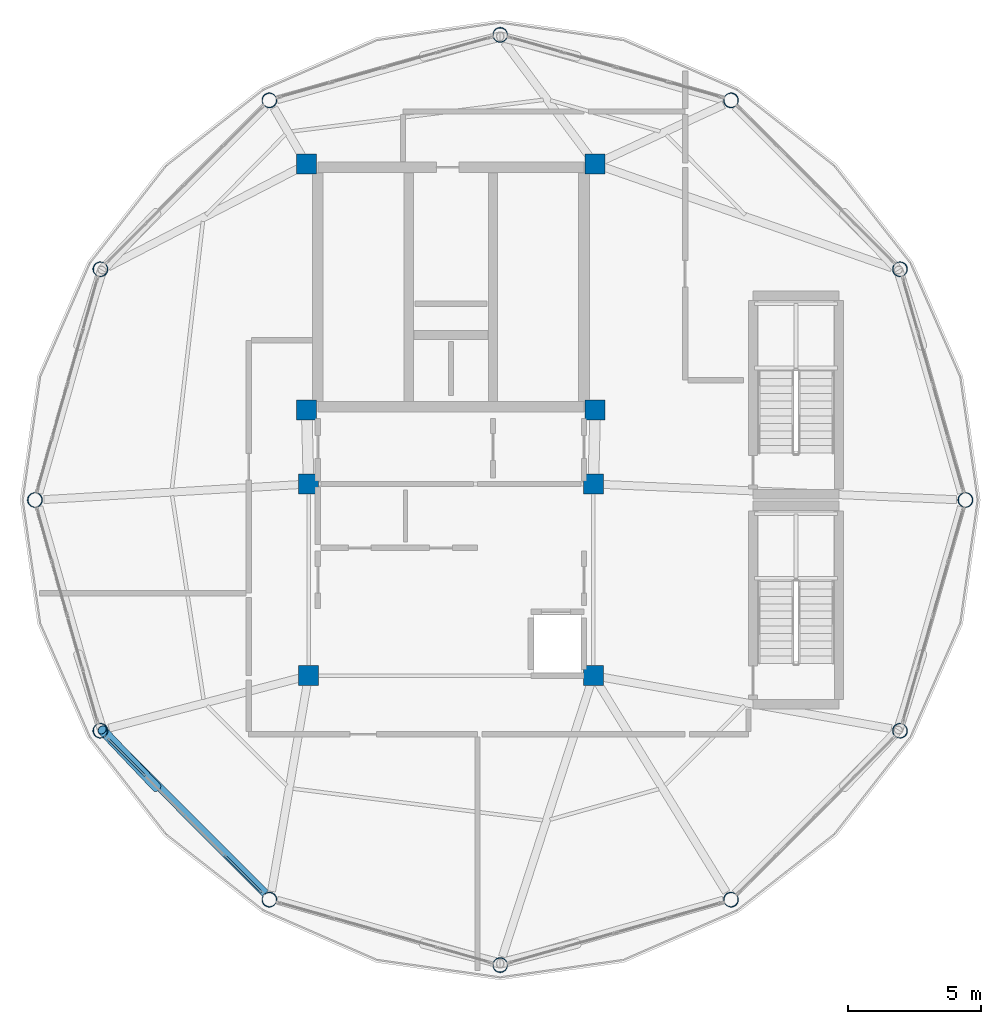
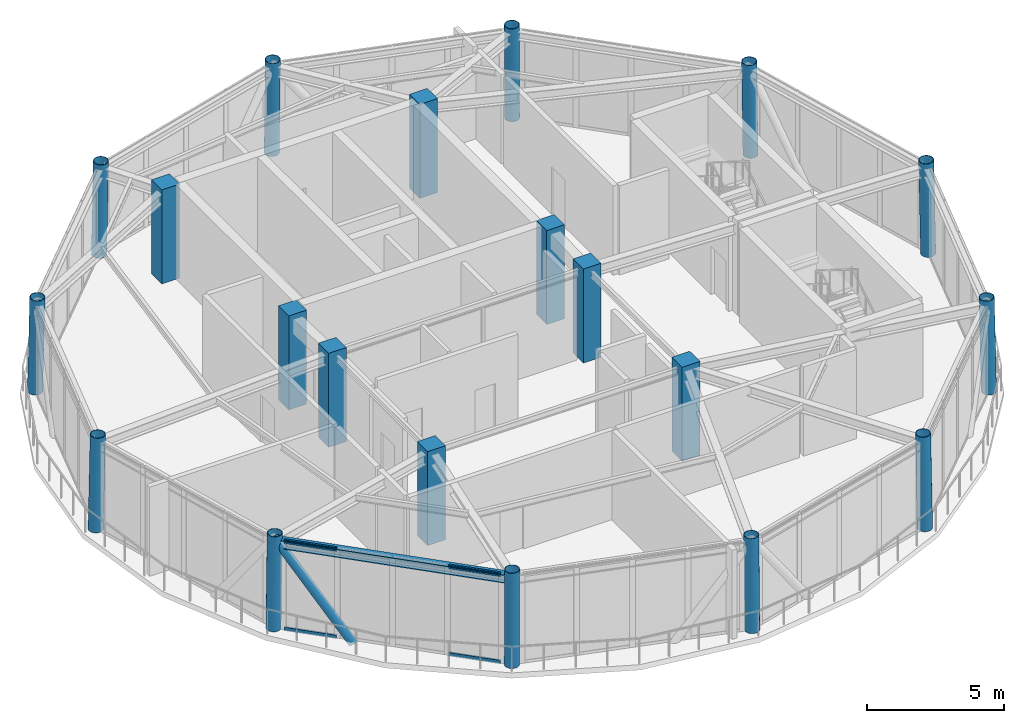
# One storey, part 1 of 20: 20 columns, 5 members, 1 beam, 1 element without a shape of its own.
"""IFC4 building model written with IfcOpenShell, lengths in metres."""

from ifc_helpers import new_model, si_unit, direction, frame, origin, origin_2d, place, context, subcontext, project, spatial, rectangle, hollow_rectangle, hollow_circle, i_section, extrude, material, layer, layer_set, material_profile, profile_set, type_object, element, aggregate, save


model = new_model("IFC4")

# Units and contexts
model_context = context("Model", 3, precision=1e-05, world=origin(), true_north=direction((0.0, 1.0)))
body_context = subcontext(model_context, "Body", "Model", "MODEL_VIEW")
ifc_project = project(units=[si_unit("LENGTHUNIT", "METRE"), si_unit("AREAUNIT", "SQUARE_METRE"), si_unit("VOLUMEUNIT", "CUBIC_METRE"), si_unit("PLANEANGLEUNIT", "RADIAN"), si_unit("MASSUNIT", "GRAM", prefix="KILO")], contexts=[model_context])

# Site, building, storey
site_placement = place(None, origin())
site = spatial("IfcSite", under=ifc_project, at=site_placement, CompositionType="ELEMENT")
building_placement = place(site_placement, origin())
building = spatial("IfcBuilding", under=site, at=building_placement, Name="Varnakorn Sky Granary", CompositionType="ELEMENT")
storey_placement = place(building_placement, frame((0.0, 0.0, 302.39990234375)))
storey = spatial("IfcBuildingStorey", under=building, at=storey_placement, Name="L77", CompositionType="ELEMENT", Elevation=302.39990234375)

# Columns
ifc_material_1 = material(Name="Steel S460M", Category="steel")
ifc_material_profile_1 = material_profile(ifc_material_1, hollow_circle(Radius=0.279541015625, WallThickness=0.02001953125, at=origin_2d()), Name="CHS 559x20")
ifc_profile_set_1 = profile_set([ifc_material_profile_1], Name="Steel S460M")
column_type_1 = type_object("IfcColumnType", Name="COL-DC-Z5", PredefinedType="COLUMN", material=ifc_profile_set_1)
column_1_placement = place(storey_placement, frame((22.343017578125, 0.0, 0.0), z_axis=(-0.020579232516, 0.0, 0.99978822517), x_axis=(0.0, -1.0, 0.0)))
element("IfcColumn", 1, at=column_1_placement, inside=storey, type_object=column_type_1, Name="Drum Perimeter Column DC01 L77", PredefinedType="COLUMN", context=body_context, shape_type="SweptSolid", body=[
    extrude(hollow_circle(Radius=0.279541015625, WallThickness=0.02001953125, at=origin_2d()), origin(), (0.0, 0.0, 1.0), 4.176025390625),
])
for number, where, z_axis, x_axis, name in (
    (2, (19.882568359375, 8.675537109375, 0.0), (-0.017831710776, -0.008652764573, 0.999803560584), (0.436562976118, -0.899673700784, 0.0), "Drum Perimeter Column DC02 L77"),
    (3, (13.529052734375, 15.0263671875, 0.0), (-0.010290106967, -0.014908961799, 0.999835904815), (0.823004674598, -0.568034598938, 0.0), "Drum Perimeter Column DC03 L77"),
    (4, (4.85009765625, 17.486083984375, 0.0), (0.0, -0.017247887084, 0.999851244131), (1.0, 0.0, 0.0), "Drum Perimeter Column DC04 L77"),
    (5, (-3.8291015625, 15.0263671875, 0.0), (0.01034856724, -0.014908952804, 0.999835301578), (0.821495722065, 0.570214677669, 0.0), "Drum Perimeter Column DC05 L77"),
    (6, (-10.1826171875, 8.675537109375, 0.0), (0.01789015672, -0.008652755538, 0.999802516557), (0.435407127242, 0.900233654973, 0.0), "Drum Perimeter Column DC06 L77"),
):
    element("IfcColumn", number, at=place(storey_placement, frame(where, z_axis=z_axis, x_axis=x_axis)), inside=storey, type_object=column_type_1, Name=name, PredefinedType="COLUMN", context=body_context, shape_type="SweptSolid", body=[
        extrude(hollow_circle(Radius=0.279541015625, WallThickness=0.02001953125, at=origin_2d()), origin(), (0.0, 0.0, 1.0), 4.17578125),
    ])
column_2_placement = place(storey_placement, frame((-12.64306640625, 0.0, 0.0), z_axis=(0.02063767138, 0.0, 0.99978702058), x_axis=(0.0, 1.0, 0.0)))
element("IfcColumn", 7, at=column_2_placement, inside=storey, type_object=column_type_1, Name="Drum Perimeter Column DC07 L77", PredefinedType="COLUMN", context=body_context, shape_type="SweptSolid", body=[
    extrude(hollow_circle(Radius=0.279541015625, WallThickness=0.02001953125, at=origin_2d()), origin(), (0.0, 0.0, 1.0), 4.176025390625),
])
for number, where, z_axis, x_axis, name in (
    (8, (-10.1826171875, -8.675537109375, 0.0), (0.01789015672, 0.008652755538, 0.999802516557), (-0.435407127242, 0.900233654973, 0.0), "Drum Perimeter Column DC08 L77"),
    (9, (-3.8291015625, -15.0263671875, 0.0), (0.01034856724, 0.014908952804, 0.999835301578), (-0.821495722065, 0.570214677669, 0.0), "Drum Perimeter Column DC09 L77"),
    (10, (4.85009765625, -17.486083984375, 0.0), (0.0, 0.017247887084, 0.999851244131), (-1.0, 0.0, 0.0), "Drum Perimeter Column DC10 L77"),
    (11, (13.529052734375, -15.0263671875, 0.0), (-0.010290106967, 0.014908961799, 0.999835904815), (-0.823004674598, -0.568034598938, 0.0), "Drum Perimeter Column DC11 L77"),
    (12, (19.882568359375, -8.675537109375, 0.0), (-0.017831710776, 0.008652764573, 0.999803560584), (-0.436562976118, -0.899673700784, 0.0), "Drum Perimeter Column DC12 L77"),
):
    element("IfcColumn", number, at=place(storey_placement, frame(where, z_axis=z_axis, x_axis=x_axis)), inside=storey, type_object=column_type_1, Name=name, PredefinedType="COLUMN", context=body_context, shape_type="SweptSolid", body=[
        extrude(hollow_circle(Radius=0.279541015625, WallThickness=0.02001953125, at=origin_2d()), origin(), (0.0, 0.0, 1.0), 4.17578125),
    ])
ifc_material_2 = material(Name="Concrete C50/60", Category="concrete")
ifc_material_profile_2 = material_profile(ifc_material_2, rectangle(XDim=0.75, YDim=0.75, at=origin_2d()), Name="RC 750x750")
ifc_profile_set_2 = profile_set([ifc_material_profile_2], Name="Concrete C50/60")
column_type_2 = type_object("IfcColumnType", Name="COL-MC-Z5", PredefinedType="COLUMN", material=ifc_profile_set_2)
for number, where, z_axis, x_axis, name in (
    (13, (-2.419921875, 12.6201171875, 0.0), (0.0, 0.0, 1.0), (1.0, 0.0, 0.0), "Backbone Mega-Column MC1 L77"),
    (14, (8.419921875, 12.6201171875, 0.0), (0.0, 0.0, 1.0), (1.0, 0.0, 0.0), "Backbone Mega-Column MC2 L77"),
    (15, (-2.419921875, 3.3798828125, 0.0), (0.0, 0.0, 1.0), (1.0, 0.0, 0.0), "Backbone Mega-Column MC3 L77"),
    (16, (8.419921875, 3.3798828125, 0.0), (0.0, 0.0, 1.0), (1.0, 0.0, 0.0), "Backbone Mega-Column MC4 L77"),
    (17, (-2.35009765625, 0.60009765625, 0.0), (0.0, 0.0, 1.0), (1.0, 0.0, 0.0), "Backbone Mega-Column MC5 L77"),
    (18, (8.35009765625, 0.60009765625, 0.0), (0.0, 0.0, 1.0), (1.0, 0.0, 0.0), "Backbone Mega-Column MC6 L77"),
    (19, (-2.35009765625, -6.60009765625, 0.0), (0.0, 0.0, 1.0), (1.0, 0.0, 0.0), "Backbone Mega-Column MC7 L77"),
    (20, (8.35009765625, -6.60009765625, 0.0), (0.0, 0.0, 1.0), (1.0, 0.0, 0.0), "Backbone Mega-Column MC8 L77"),
):
    element("IfcColumn", number, at=place(storey_placement, frame(where, z_axis=z_axis, x_axis=x_axis)), inside=storey, type_object=column_type_2, Name=name, PredefinedType="COLUMN", context=body_context, shape_type="SweptSolid", body=[
        extrude(rectangle(XDim=0.75, YDim=0.75, at=origin_2d()), origin(), (0.0, 0.0, 1.0), 4.175048828125),
    ])

# Beam
ifc_material_3 = material(Name="Steel S355JR", Category="steel")
ifc_material_profile_3 = material_profile(ifc_material_3, i_section(OverallWidth=0.300048828125, OverallDepth=0.360107421875, WebThickness=0.012451171875, FlangeThickness=0.0224609375, at=origin_2d()), Name="HE 360 B")
ifc_profile_set_3 = profile_set([ifc_material_profile_3], Name="Steel S355JR")
beam_type = type_object("IfcBeamType", Name="BM-SPD-Z5", PredefinedType="SPANDREL", material=ifc_profile_set_3)
beam_placement = place(storey_placement, frame((-9.9208984375, -8.82666015625, 3.780029296875), z_axis=(0.706961677093, -0.70725185551, 0.0), x_axis=(0.70725185551, 0.706961677093, 0.0)))
element("IfcBeam", 21, at=beam_placement, inside=storey, type_object=beam_type, Name="Perimeter Spandrel Ring Beam RB08 L77", PredefinedType="SPANDREL", context=body_context, shape_type="SweptSolid", body=[
    extrude(i_section(OverallWidth=0.300048828125, OverallDepth=0.360107421875, WebThickness=0.012451171875, FlangeThickness=0.0224609375, at=origin_2d()), origin(), (0.0, 0.0, 1.0), 8.41357421875),
])

# Curtain wall, members
ifc_material_4 = material(Name="Anodised Bronze Aluminium Alloy 6063-T6", Category="aluminium")
ifc_layer = layer(ifc_material_4, 0.22998046875, Name="Anodised Bronze Aluminium Alloy 6063-T6")
ifc_layer_set = layer_set([ifc_layer], Name="Anodised Bronze Aluminium Alloy 6063-T6")
curtain_wall_type = type_object("IfcCurtainWallType", Name="CW-LNT-1", PredefinedType="USERDEFINED", material=ifc_layer_set)
curtain_wall_placement = place(storey_placement, origin())
curtain_wall = element("IfcCurtainWall", 22, at=curtain_wall_placement, inside=storey, type_object=curtain_wall_type, Name="Unitised Curtain Wall CW7 CW-L77-B08", ObjectType="CURTAIN WALL", PredefinedType="USERDEFINED")
ifc_material_profile_4 = material_profile(ifc_material_4, hollow_rectangle(XDim=0.074951171875, YDim=0.159912109375, WallThickness=0.00390625, at=origin_2d()), Name="ALU TRAN 75x160")
ifc_profile_set_4 = profile_set([ifc_material_profile_4], Name="Anodised Bronze Aluminium Alloy 6063-T6")
member_type_1 = type_object("IfcMemberType", Name="CW-LNT-1-TRAN", PredefinedType="USERDEFINED", material=ifc_profile_set_4)
member_1_placement = place(storey_placement, frame((-4.1220703125, -14.7333984375, 0.03759765625), z_axis=(-0.707293246289, 0.7069202669, 0.0), x_axis=(-0.7069202669, -0.707293246289, 0.0)))
member_1 = element("IfcMember", 23, at=member_1_placement, type_object=member_type_1, Name="CW7 transom 1.1", ObjectType="TRANSOM", PredefinedType="USERDEFINED", context=body_context, shape_type="SweptSolid", body=[
    extrude(hollow_rectangle(XDim=0.074951171875, YDim=0.159912109375, WallThickness=0.00390625, at=origin_2d()), origin(), (0.0, 0.0, 1.0), 1.963623046875),
])
member_2_placement = place(storey_placement, frame((-4.1220703125, -14.7333984375, 3.922607421875), z_axis=(-0.707293246289, 0.7069202669, 0.0), x_axis=(-0.7069202669, -0.707293246289, 0.0)))
member_2 = element("IfcMember", 24, at=member_2_placement, type_object=member_type_1, Name="CW7 transom 1.2", ObjectType="TRANSOM", PredefinedType="USERDEFINED", context=body_context, shape_type="SweptSolid", body=[
    extrude(hollow_rectangle(XDim=0.074951171875, YDim=0.159912109375, WallThickness=0.00390625, at=origin_2d()), origin(), (0.0, 0.0, 1.0), 1.963623046875),
])
member_3_placement = place(storey_placement, frame((-8.50048828125, -10.356689453125, 0.03759765625), z_axis=(-0.707293246289, 0.7069202669, 0.0), x_axis=(-0.7069202669, -0.707293246289, 0.0)))
member_3 = element("IfcMember", 25, at=member_3_placement, type_object=member_type_1, Name="CW7 transom 4.1", ObjectType="TRANSOM", PredefinedType="USERDEFINED", context=body_context, shape_type="SweptSolid", body=[
    extrude(hollow_rectangle(XDim=0.074951171875, YDim=0.159912109375, WallThickness=0.00390625, at=origin_2d()), origin(), (0.0, 0.0, 1.0), 1.963623046875),
])
member_4_placement = place(storey_placement, frame((-8.50048828125, -10.356689453125, 3.922607421875), z_axis=(-0.707293246289, 0.7069202669, 0.0), x_axis=(-0.7069202669, -0.707293246289, 0.0)))
member_4 = element("IfcMember", 26, at=member_4_placement, type_object=member_type_1, Name="CW7 transom 4.2", ObjectType="TRANSOM", PredefinedType="USERDEFINED", context=body_context, shape_type="SweptSolid", body=[
    extrude(hollow_rectangle(XDim=0.074951171875, YDim=0.159912109375, WallThickness=0.00390625, at=origin_2d()), origin(), (0.0, 0.0, 1.0), 1.963623046875),
])
aggregate(curtain_wall, [member_1, member_2, member_3, member_4])

# Member
ifc_material_profile_5 = material_profile(ifc_material_1, hollow_circle(Radius=0.177734375, WallThickness=0.01416015625, at=origin_2d()), Name="CHS 355.6x14")
ifc_profile_set_5 = profile_set([ifc_material_profile_5], Name="Steel S460M")
member_type_2 = type_object("IfcMemberType", Name="MB-DIAG-T5", PredefinedType="BRACE", material=ifc_profile_set_5)
member_5_placement = place(storey_placement, frame((-8.064697265625, -10.79248046875, -0.1298828125), z_axis=(-0.40430521085, 0.426044647447, 0.809335069586), x_axis=(-0.725371024441, -0.688358102227, 0.0)))
element("IfcMember", 27, at=member_5_placement, inside=storey, type_object=member_type_2, Name="Perimeter CHS Diagrid Brace DG08 L77", PredefinedType="BRACE", context=body_context, shape_type="SweptSolid", body=[
    extrude(hollow_circle(Radius=0.177734375, WallThickness=0.01416015625, at=origin_2d()), origin(), (0.0, 0.0, 1.0), 5.0537109375),
])

save(model, "model.ifc")
